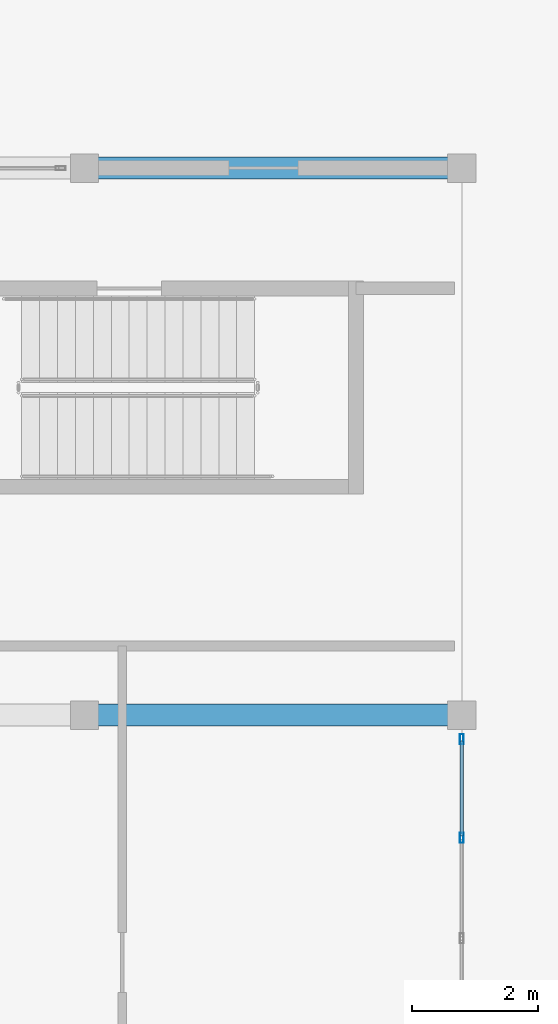
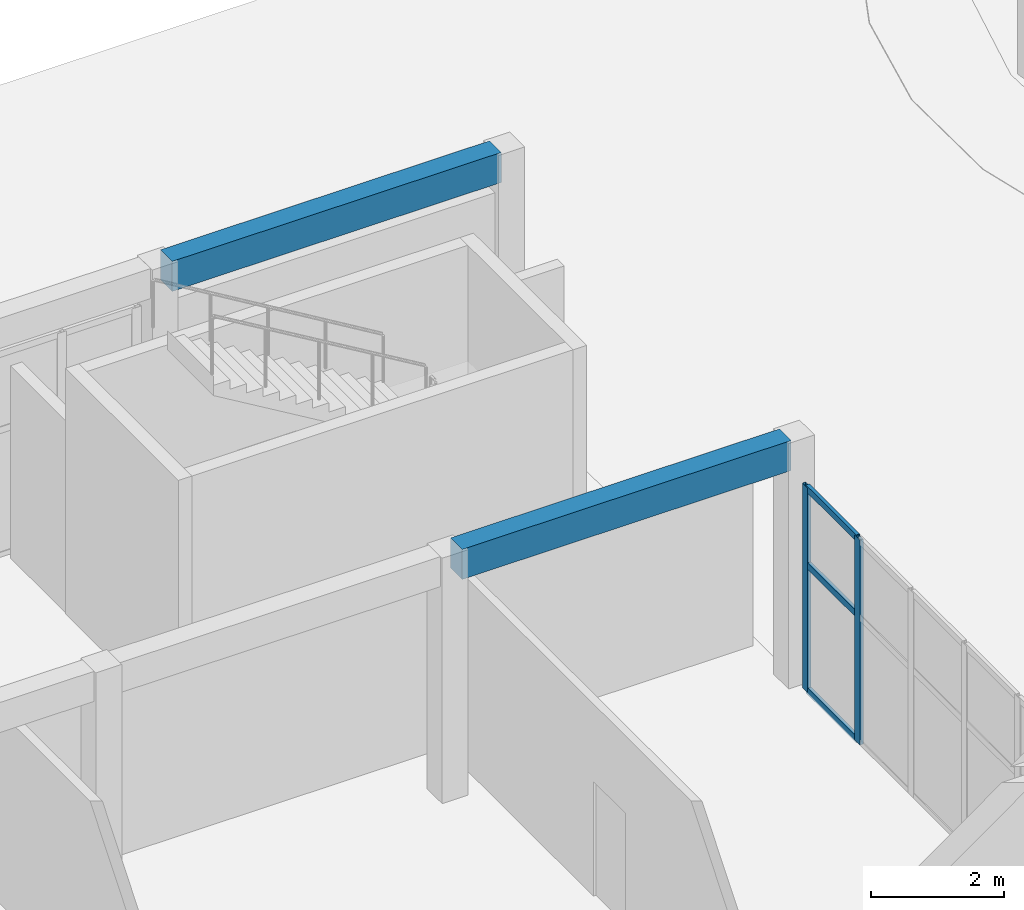
# One storey, part 51 of 132: 5 members, 2 beams, 1 element without a shape of its own.
"""IFC4 building model written with IfcOpenShell, lengths in metres."""

from ifc_helpers import new_model, si_unit, direction, frame, origin, origin_2d, place, context, subcontext, project, spatial, rectangle, hollow_rectangle, extrude, material, material_profile, profile_set, type_object, element, aggregate, save


model = new_model("IFC4")

# Units and contexts
model_context = context("Model", 3, precision=1e-05, world=origin(), true_north=direction((0.0, 1.0)))
body_context = subcontext(model_context, "Body", "Model", "MODEL_VIEW")
ifc_project = project(units=[si_unit("LENGTHUNIT", "METRE"), si_unit("AREAUNIT", "SQUARE_METRE"), si_unit("VOLUMEUNIT", "CUBIC_METRE"), si_unit("PLANEANGLEUNIT", "RADIAN"), si_unit("MASSUNIT", "GRAM", prefix="KILO")], contexts=[model_context])

# Site, building, storey
site_placement = place(None, origin())
site = spatial("IfcSite", under=ifc_project, at=site_placement, CompositionType="ELEMENT")
building_placement = place(site_placement, origin())
building = spatial("IfcBuilding", under=site, at=building_placement, Name="Tanwirah Colonnade Gardens", CompositionType="ELEMENT")
storey_placement = place(building_placement, origin())
storey = spatial("IfcBuildingStorey", under=building, at=storey_placement, Name="L00", CompositionType="ELEMENT", Elevation=0.0)

# Beams
ifc_material_1 = material(Name="Precast concrete C40/50", Category="concrete")
ifc_material_profile_1 = material_profile(ifc_material_1, rectangle(XDim=0.35009765625, YDim=0.550048828125, at=origin_2d()), Name="PC-BM 350x550")
ifc_profile_set_1 = profile_set([ifc_material_profile_1], Name="Precast concrete C40/50")
beam_type = type_object("IfcBeamType", Name="BM-PC350A", PredefinedType="BEAM", material=ifc_profile_set_1)
for number, where, z_axis, x_axis, name in (
    (1, (102.14990234375, 100.699951171875, 4.219970703125), (1.0, 0.0, 0.0), (0.0, 1.0, 0.0), "Nursery L00 Beam X-4.1"),
    (2, (102.14990234375, 109.39990234375, 4.219970703125), (1.0, 0.0, 0.0), (0.0, 1.0, 0.0), "Nursery L00 Beam X-4.2"),
):
    element("IfcBeam", number, at=place(storey_placement, frame(where, z_axis=z_axis, x_axis=x_axis)), inside=storey, type_object=beam_type, Name=name, PredefinedType="BEAM", context=body_context, shape_type="SweptSolid", body=[
        extrude(rectangle(XDim=0.35009765625, YDim=0.550048828125, at=origin_2d()), origin(), (0.0, 0.0, 1.0), 5.7001953125),
    ])

# Curtain wall, members
ifc_material_2 = material(Name="Bronze-anodised aluminium and solar-control low-E glass", Category="aluminium")
curtain_wall_type = type_object("IfcCurtainWallType", Name="CW-NUR", PredefinedType="NOTDEFINED", material=ifc_material_2)
curtain_wall_placement = place(storey_placement, origin())
curtain_wall = element("IfcCurtainWall", 3, at=curtain_wall_placement, inside=storey, type_object=curtain_wall_type, Name="Curtain Wall CW-NUR-L00-E-1", PredefinedType="NOTDEFINED")
ifc_material_3 = material(Name="Bronze-anodised aluminium", Category="aluminium")
ifc_material_profile_2 = material_profile(ifc_material_3, hollow_rectangle(XDim=0.06005859375, YDim=0.159912109375, WallThickness=0.00390625, at=origin_2d()), Name="CW-MUL 60x160x4")
ifc_profile_set_2 = profile_set([ifc_material_profile_2], Name="Bronze-anodised aluminium")
member_type_1 = type_object("IfcMemberType", Name="CWM-60x160", PredefinedType="MULLION", material=ifc_profile_set_2)
member_1_placement = place(storey_placement, frame((108.0, 98.75, 0.0), z_axis=(0.0, 0.0, 1.0), x_axis=(-1.0, 0.0, 0.0)))
member_1 = element("IfcMember", 4, at=member_1_placement, type_object=member_type_1, Name="CW-NUR mullion 5", PredefinedType="MULLION", context=body_context, shape_type="SweptSolid", body=[
    extrude(hollow_rectangle(XDim=0.06005859375, YDim=0.159912109375, WallThickness=0.00390625, at=origin_2d()), origin(), (0.0, 0.0, 1.0), 3.75),
])
member_2_placement = place(storey_placement, frame((108.0, 100.320068359375, 0.0), z_axis=(0.0, 0.0, 1.0), x_axis=(-1.0, 0.0, 0.0)))
member_2 = element("IfcMember", 5, at=member_2_placement, type_object=member_type_1, Name="CW-NUR mullion 6", PredefinedType="MULLION", context=body_context, shape_type="SweptSolid", body=[
    extrude(hollow_rectangle(XDim=0.06005859375, YDim=0.159912109375, WallThickness=0.00390625, at=origin_2d()), origin(), (0.0, 0.0, 1.0), 3.75),
])
ifc_material_profile_3 = material_profile(ifc_material_3, hollow_rectangle(XDim=0.06005859375, YDim=0.1201171875, WallThickness=0.00390625, at=origin_2d()), Name="CW-TRN 60x120x4")
ifc_profile_set_3 = profile_set([ifc_material_profile_3], Name="Bronze-anodised aluminium")
member_type_2 = type_object("IfcMemberType", Name="CWT-60x120", PredefinedType="USERDEFINED", material=ifc_profile_set_3)
member_3_placement = place(storey_placement, frame((108.0, 98.780029296875, 0.030029296875), z_axis=(0.0, 1.0, 0.0), x_axis=(-1.0, 0.0, 0.0)))
member_3 = element("IfcMember", 6, at=member_3_placement, type_object=member_type_2, Name="CW-NUR transom 5.1", ObjectType="TRANSOM", PredefinedType="USERDEFINED", context=body_context, shape_type="SweptSolid", body=[
    extrude(hollow_rectangle(XDim=0.06005859375, YDim=0.1201171875, WallThickness=0.00390625, at=origin_2d()), origin(), (0.0, 0.0, 1.0), 1.510009765625),
])
member_4_placement = place(storey_placement, frame((108.0, 98.780029296875, 2.324951171875), z_axis=(0.0, 1.0, 0.0), x_axis=(-1.0, 0.0, 0.0)))
member_4 = element("IfcMember", 7, at=member_4_placement, type_object=member_type_2, Name="CW-NUR transom 5.2", ObjectType="TRANSOM", PredefinedType="USERDEFINED", context=body_context, shape_type="SweptSolid", body=[
    extrude(hollow_rectangle(XDim=0.06005859375, YDim=0.1201171875, WallThickness=0.00390625, at=origin_2d()), origin(), (0.0, 0.0, 1.0), 1.510009765625),
])
member_5_placement = place(storey_placement, frame((108.0, 98.780029296875, 3.719970703125), z_axis=(0.0, 1.0, 0.0), x_axis=(-1.0, 0.0, 0.0)))
member_5 = element("IfcMember", 8, at=member_5_placement, type_object=member_type_2, Name="CW-NUR transom 5.3", ObjectType="TRANSOM", PredefinedType="USERDEFINED", context=body_context, shape_type="SweptSolid", body=[
    extrude(hollow_rectangle(XDim=0.06005859375, YDim=0.1201171875, WallThickness=0.00390625, at=origin_2d()), origin(), (0.0, 0.0, 1.0), 1.510009765625),
])
aggregate(curtain_wall, [member_1, member_2, member_3, member_4, member_5])

save(model, "model.ifc")
